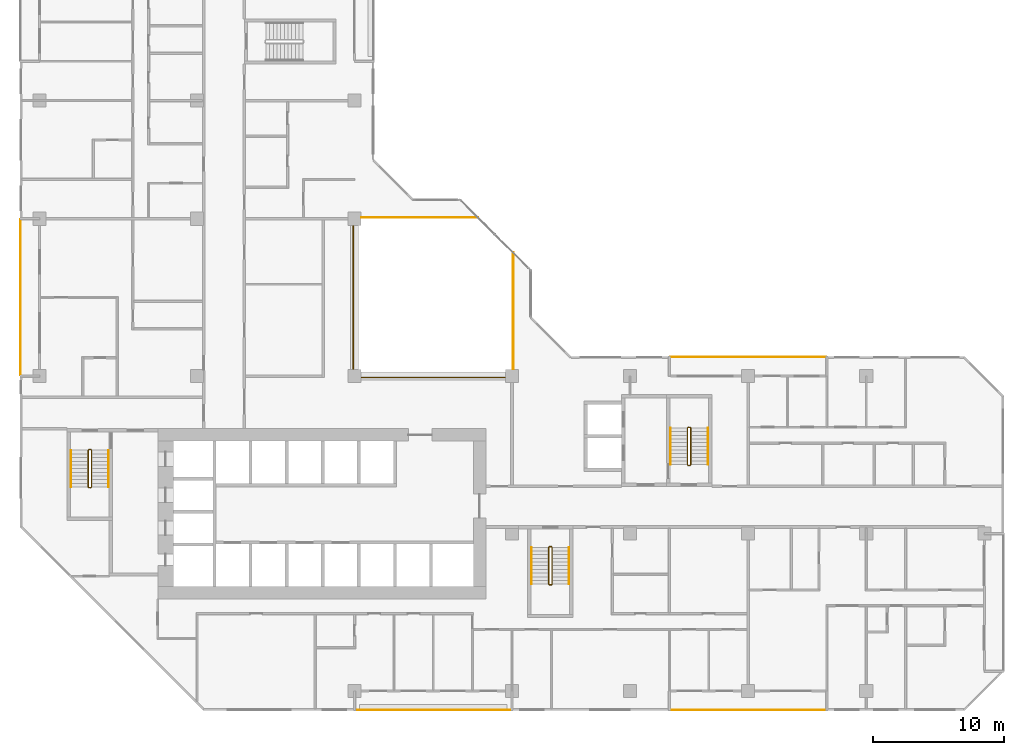
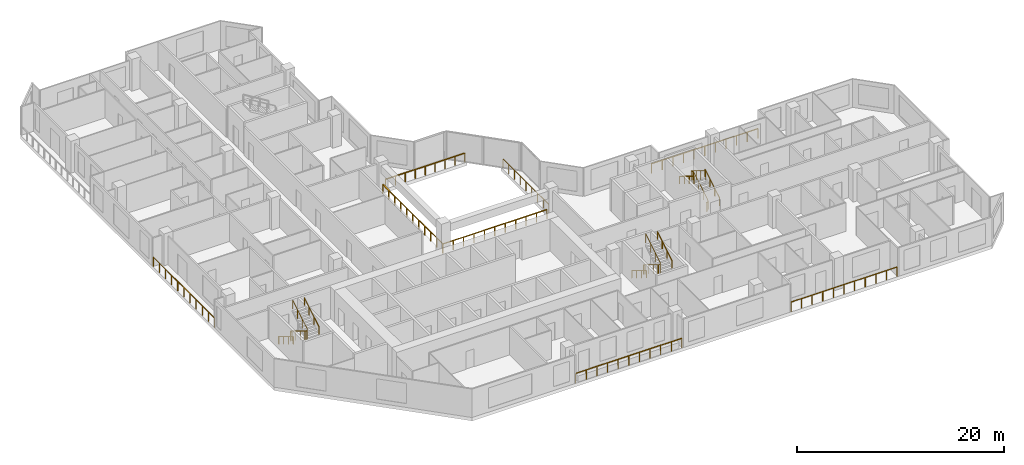
# One storey, part 14 of 15: 16 railings.
"""IFC4 building model written with IfcOpenShell, lengths in metres."""

from ifc_helpers import new_model, si_unit, direction, frame, origin, origin_2d, place, context, subcontext, project, spatial, rectangle, extrude, material, type_object, element, save


model = new_model("IFC4")

# Units and contexts
model_context = context("Model", 3, precision=1e-05, world=origin(), true_north=direction((0.0, 1.0)))
body_context = subcontext(model_context, "Body", "Model", "MODEL_VIEW")
ifc_project = project(units=[si_unit("LENGTHUNIT", "METRE"), si_unit("AREAUNIT", "SQUARE_METRE"), si_unit("VOLUMEUNIT", "CUBIC_METRE"), si_unit("PLANEANGLEUNIT", "RADIAN"), si_unit("MASSUNIT", "GRAM", prefix="KILO")], contexts=[model_context])

# Site, building, storey
site_placement = place(None, origin())
site = spatial("IfcSite", under=ifc_project, at=site_placement, CompositionType="ELEMENT")
building_placement = place(site_placement, origin())
building = spatial("IfcBuilding", under=site, at=building_placement, Name="Chenar Terraces", CompositionType="ELEMENT")
storey_placement = place(building_placement, frame((0.0, 0.0, 125.64990234375)))
storey = spatial("IfcBuildingStorey", under=building, at=storey_placement, Name="L29", CompositionType="ELEMENT", Elevation=125.64990234375)

# Railings
ifc_material_1 = material(Name="Powder-coated steel", Category="steel")
railing_type_1 = type_object("IfcRailingType", Name="Guard 1100 steel rail with glass infill", PredefinedType="GUARDRAIL", material=ifc_material_1)
railing_1_placement = place(storey_placement, frame((23.89990234375, 35.5, 0.0)))
element("IfcRailing", 1, at=railing_1_placement, inside=storey, type_object=railing_type_1, Name="Guard L29-1", PredefinedType="GUARDRAIL", context=body_context, shape_type="SweptSolid", body=[
    extrude(rectangle(XDim=0.06005859375, YDim=0.06005859375, at=origin_2d()), frame((0.0, 0.0, 1.070068359375), z_axis=(0.0, -1.0, 0.0), x_axis=(1.0, 0.0, 0.0)), (0.0, 0.0, 1.0), 11.60009765625),
    extrude(rectangle(XDim=0.06005859375, YDim=0.06005859375, at=origin_2d()), frame((0.0, -11.60009765625, 1.070068359375), z_axis=(1.0, 0.0, 0.0), x_axis=(0.0, 1.0, 0.0)), (0.0, 0.0, 1.0), 11.60009765625),
    extrude(rectangle(XDim=0.050048828125, YDim=0.050048828125, at=origin_2d()), origin(), (0.0, 0.0, 1.0), 1.0400390625),
    extrude(rectangle(XDim=0.050048828125, YDim=0.050048828125, at=origin_2d()), frame((0.0, -1.159912109375, 0.0)), (0.0, 0.0, 1.0), 1.0400390625),
    extrude(rectangle(XDim=0.050048828125, YDim=0.050048828125, at=origin_2d()), frame((0.0, -2.320068359375, 0.0)), (0.0, 0.0, 1.0), 1.0400390625),
    extrude(rectangle(XDim=0.050048828125, YDim=0.050048828125, at=origin_2d()), frame((0.0, -3.47998046875, 0.0)), (0.0, 0.0, 1.0), 1.0400390625),
    extrude(rectangle(XDim=0.050048828125, YDim=0.050048828125, at=origin_2d()), frame((0.0, -4.64013671875, 0.0)), (0.0, 0.0, 1.0), 1.0400390625),
    extrude(rectangle(XDim=0.050048828125, YDim=0.050048828125, at=origin_2d()), frame((0.0, -5.800048828125, 0.0)), (0.0, 0.0, 1.0), 1.0400390625),
    extrude(rectangle(XDim=0.050048828125, YDim=0.050048828125, at=origin_2d()), frame((0.0, -6.9599609375, 0.0)), (0.0, 0.0, 1.0), 1.0400390625),
    extrude(rectangle(XDim=0.050048828125, YDim=0.050048828125, at=origin_2d()), frame((0.0, -8.1201171875, 0.0)), (0.0, 0.0, 1.0), 1.0400390625),
    extrude(rectangle(XDim=0.050048828125, YDim=0.050048828125, at=origin_2d()), frame((0.0, -9.280029296875, 0.0)), (0.0, 0.0, 1.0), 1.0400390625),
    extrude(rectangle(XDim=0.050048828125, YDim=0.050048828125, at=origin_2d()), frame((0.0, -10.440185546875, 0.0)), (0.0, 0.0, 1.0), 1.0400390625),
    extrude(rectangle(XDim=0.050048828125, YDim=0.050048828125, at=origin_2d()), frame((0.0, -11.60009765625, 0.0)), (0.0, 0.0, 1.0), 1.0400390625),
    extrude(rectangle(XDim=0.050048828125, YDim=0.050048828125, at=origin_2d()), frame((1.159912109375, -11.60009765625, 0.0)), (0.0, 0.0, 1.0), 1.0400390625),
    extrude(rectangle(XDim=0.050048828125, YDim=0.050048828125, at=origin_2d()), frame((2.320068359375, -11.60009765625, 0.0)), (0.0, 0.0, 1.0), 1.0400390625),
    extrude(rectangle(XDim=0.050048828125, YDim=0.050048828125, at=origin_2d()), frame((3.47998046875, -11.60009765625, 0.0)), (0.0, 0.0, 1.0), 1.0400390625),
    extrude(rectangle(XDim=0.050048828125, YDim=0.050048828125, at=origin_2d()), frame((4.64013671875, -11.60009765625, 0.0)), (0.0, 0.0, 1.0), 1.0400390625),
    extrude(rectangle(XDim=0.050048828125, YDim=0.050048828125, at=origin_2d()), frame((5.800048828125, -11.60009765625, 0.0)), (0.0, 0.0, 1.0), 1.0400390625),
    extrude(rectangle(XDim=0.050048828125, YDim=0.050048828125, at=origin_2d()), frame((6.9599609375, -11.60009765625, 0.0)), (0.0, 0.0, 1.0), 1.0400390625),
    extrude(rectangle(XDim=0.050048828125, YDim=0.050048828125, at=origin_2d()), frame((8.1201171875, -11.60009765625, 0.0)), (0.0, 0.0, 1.0), 1.0400390625),
    extrude(rectangle(XDim=0.050048828125, YDim=0.050048828125, at=origin_2d()), frame((9.280029296875, -11.60009765625, 0.0)), (0.0, 0.0, 1.0), 1.0400390625),
    extrude(rectangle(XDim=0.050048828125, YDim=0.050048828125, at=origin_2d()), frame((10.440185546875, -11.60009765625, 0.0)), (0.0, 0.0, 1.0), 1.0400390625),
    extrude(rectangle(XDim=0.050048828125, YDim=0.050048828125, at=origin_2d()), frame((11.60009765625, -11.60009765625, 0.0)), (0.0, 0.0, 1.0), 1.0400390625),
])
railing_2_placement = place(storey_placement, frame((24.550048828125, 36.10009765625, 0.0)))
element("IfcRailing", 2, at=railing_2_placement, inside=storey, type_object=railing_type_1, Name="Guard L29-2", PredefinedType="GUARDRAIL", context=body_context, shape_type="SweptSolid", body=[
    extrude(rectangle(XDim=0.06005859375, YDim=0.06005859375, at=origin_2d()), frame((0.0, 0.0, 1.070068359375), z_axis=(1.0, 0.0, 0.0), x_axis=(0.0, 1.0, 0.0)), (0.0, 0.0, 1.0), 8.849853515625),
    extrude(rectangle(XDim=0.050048828125, YDim=0.050048828125, at=origin_2d()), origin(), (0.0, 0.0, 1.0), 1.0400390625),
    extrude(rectangle(XDim=0.050048828125, YDim=0.050048828125, at=origin_2d()), frame((1.106201171875, 0.0, 0.0)), (0.0, 0.0, 1.0), 1.0400390625),
    extrude(rectangle(XDim=0.050048828125, YDim=0.050048828125, at=origin_2d()), frame((2.21240234375, 0.0, 0.0)), (0.0, 0.0, 1.0), 1.0400390625),
    extrude(rectangle(XDim=0.050048828125, YDim=0.050048828125, at=origin_2d()), frame((3.318603515625, 0.0, 0.0)), (0.0, 0.0, 1.0), 1.0400390625),
    extrude(rectangle(XDim=0.050048828125, YDim=0.050048828125, at=origin_2d()), frame((4.4248046875, 0.0, 0.0)), (0.0, 0.0, 1.0), 1.0400390625),
    extrude(rectangle(XDim=0.050048828125, YDim=0.050048828125, at=origin_2d()), frame((5.53125, 0.0, 0.0)), (0.0, 0.0, 1.0), 1.0400390625),
    extrude(rectangle(XDim=0.050048828125, YDim=0.050048828125, at=origin_2d()), frame((6.637451171875, 0.0, 0.0)), (0.0, 0.0, 1.0), 1.0400390625),
    extrude(rectangle(XDim=0.050048828125, YDim=0.050048828125, at=origin_2d()), frame((7.74365234375, 0.0, 0.0)), (0.0, 0.0, 1.0), 1.0400390625),
    extrude(rectangle(XDim=0.050048828125, YDim=0.050048828125, at=origin_2d()), frame((8.849853515625, 0.0, 0.0)), (0.0, 0.0, 1.0), 1.0400390625),
])
railing_3_placement = place(storey_placement, frame((36.10009765625, 24.550048828125, 0.0)))
element("IfcRailing", 3, at=railing_3_placement, inside=storey, type_object=railing_type_1, Name="Guard L29-3", PredefinedType="GUARDRAIL", context=body_context, shape_type="SweptSolid", body=[
    extrude(rectangle(XDim=0.06005859375, YDim=0.06005859375, at=origin_2d()), frame((0.0, 0.0, 1.070068359375), z_axis=(0.0, 1.0, 0.0), x_axis=(-1.0, 0.0, 0.0)), (0.0, 0.0, 1.0), 8.849853515625),
    extrude(rectangle(XDim=0.050048828125, YDim=0.050048828125, at=origin_2d()), origin(), (0.0, 0.0, 1.0), 1.0400390625),
    extrude(rectangle(XDim=0.050048828125, YDim=0.050048828125, at=origin_2d()), frame((0.0, 1.106201171875, 0.0)), (0.0, 0.0, 1.0), 1.0400390625),
    extrude(rectangle(XDim=0.050048828125, YDim=0.050048828125, at=origin_2d()), frame((0.0, 2.21240234375, 0.0)), (0.0, 0.0, 1.0), 1.0400390625),
    extrude(rectangle(XDim=0.050048828125, YDim=0.050048828125, at=origin_2d()), frame((0.0, 3.318603515625, 0.0)), (0.0, 0.0, 1.0), 1.0400390625),
    extrude(rectangle(XDim=0.050048828125, YDim=0.050048828125, at=origin_2d()), frame((0.0, 4.4248046875, 0.0)), (0.0, 0.0, 1.0), 1.0400390625),
    extrude(rectangle(XDim=0.050048828125, YDim=0.050048828125, at=origin_2d()), frame((0.0, 5.53125, 0.0)), (0.0, 0.0, 1.0), 1.0400390625),
    extrude(rectangle(XDim=0.050048828125, YDim=0.050048828125, at=origin_2d()), frame((0.0, 6.637451171875, 0.0)), (0.0, 0.0, 1.0), 1.0400390625),
    extrude(rectangle(XDim=0.050048828125, YDim=0.050048828125, at=origin_2d()), frame((0.0, 7.74365234375, 0.0)), (0.0, 0.0, 1.0), 1.0400390625),
    extrude(rectangle(XDim=0.050048828125, YDim=0.050048828125, at=origin_2d()), frame((0.0, 8.849853515625, 0.0)), (0.0, 0.0, 1.0), 1.0400390625),
])
ifc_material_2 = material(Name="Stainless steel and glass", Category="steel")
railing_type_2 = type_object("IfcRailingType", Name="Loggia guard 1150", PredefinedType="GUARDRAIL", material=ifc_material_2)
railing_4_placement = place(storey_placement, frame((59.925048828125, 25.449951171875, 0.0)))
element("IfcRailing", 4, at=railing_4_placement, inside=storey, type_object=railing_type_2, Name="Loggia guard", PredefinedType="GUARDRAIL", context=body_context, shape_type="SweptSolid", body=[
    extrude(rectangle(XDim=0.048095703125, YDim=0.048095703125, at=origin_2d()), frame((0.0, 0.0, 1.1259765625), z_axis=(-1.0, 0.0, 0.0), x_axis=(0.0, -1.0, 0.0)), (0.0, 0.0, 1.0), 11.85009765625),
    extrude(rectangle(XDim=0.0419921875, YDim=0.0419921875, at=origin_2d()), origin(), (0.0, 0.0, 1.0), 1.101806640625),
    extrude(rectangle(XDim=0.0419921875, YDim=0.0419921875, at=origin_2d()), frame((-1.18505859375, 0.0, 0.0)), (0.0, 0.0, 1.0), 1.101806640625),
    extrude(rectangle(XDim=0.0419921875, YDim=0.0419921875, at=origin_2d()), frame((-2.3701171875, 0.0, 0.0)), (0.0, 0.0, 1.0), 1.101806640625),
    extrude(rectangle(XDim=0.0419921875, YDim=0.0419921875, at=origin_2d()), frame((-3.554931640625, 0.0, 0.0)), (0.0, 0.0, 1.0), 1.101806640625),
    extrude(rectangle(XDim=0.0419921875, YDim=0.0419921875, at=origin_2d()), frame((-4.739990234375, 0.0, 0.0)), (0.0, 0.0, 1.0), 1.101806640625),
    extrude(rectangle(XDim=0.0419921875, YDim=0.0419921875, at=origin_2d()), frame((-5.925048828125, 0.0, 0.0)), (0.0, 0.0, 1.0), 1.101806640625),
    extrude(rectangle(XDim=0.0419921875, YDim=0.0419921875, at=origin_2d()), frame((-7.110107421875, 0.0, 0.0)), (0.0, 0.0, 1.0), 1.101806640625),
    extrude(rectangle(XDim=0.0419921875, YDim=0.0419921875, at=origin_2d()), frame((-8.295166015625, 0.0, 0.0)), (0.0, 0.0, 1.0), 1.101806640625),
    extrude(rectangle(XDim=0.0419921875, YDim=0.0419921875, at=origin_2d()), frame((-9.47998046875, 0.0, 0.0)), (0.0, 0.0, 1.0), 1.101806640625),
    extrude(rectangle(XDim=0.0419921875, YDim=0.0419921875, at=origin_2d()), frame((-10.6650390625, 0.0, 0.0)), (0.0, 0.0, 1.0), 1.101806640625),
    extrude(rectangle(XDim=0.0419921875, YDim=0.0419921875, at=origin_2d()), frame((-11.85009765625, 0.0, 0.0)), (0.0, 0.0, 1.0), 1.101806640625),
])
railing_5_placement = place(storey_placement, frame((24.074951171875, -1.449951171875, 0.0)))
element("IfcRailing", 5, at=railing_5_placement, inside=storey, type_object=railing_type_2, Name="Loggia guard", PredefinedType="GUARDRAIL", context=body_context, shape_type="SweptSolid", body=[
    extrude(rectangle(XDim=0.048095703125, YDim=0.048095703125, at=origin_2d()), frame((0.0, 0.0, 1.1259765625), z_axis=(1.0, 0.0, 0.0), x_axis=(0.0, 1.0, 0.0)), (0.0, 0.0, 1.0), 11.85009765625),
    extrude(rectangle(XDim=0.0419921875, YDim=0.0419921875, at=origin_2d()), origin(), (0.0, 0.0, 1.0), 1.101806640625),
    extrude(rectangle(XDim=0.0419921875, YDim=0.0419921875, at=origin_2d()), frame((1.18505859375, 0.0, 0.0)), (0.0, 0.0, 1.0), 1.101806640625),
    extrude(rectangle(XDim=0.0419921875, YDim=0.0419921875, at=origin_2d()), frame((2.3701171875, 0.0, 0.0)), (0.0, 0.0, 1.0), 1.101806640625),
    extrude(rectangle(XDim=0.0419921875, YDim=0.0419921875, at=origin_2d()), frame((3.554931640625, 0.0, 0.0)), (0.0, 0.0, 1.0), 1.101806640625),
    extrude(rectangle(XDim=0.0419921875, YDim=0.0419921875, at=origin_2d()), frame((4.739990234375, 0.0, 0.0)), (0.0, 0.0, 1.0), 1.101806640625),
    extrude(rectangle(XDim=0.0419921875, YDim=0.0419921875, at=origin_2d()), frame((5.925048828125, 0.0, 0.0)), (0.0, 0.0, 1.0), 1.101806640625),
    extrude(rectangle(XDim=0.0419921875, YDim=0.0419921875, at=origin_2d()), frame((7.110107421875, 0.0, 0.0)), (0.0, 0.0, 1.0), 1.101806640625),
    extrude(rectangle(XDim=0.0419921875, YDim=0.0419921875, at=origin_2d()), frame((8.295166015625, 0.0, 0.0)), (0.0, 0.0, 1.0), 1.101806640625),
    extrude(rectangle(XDim=0.0419921875, YDim=0.0419921875, at=origin_2d()), frame((9.47998046875, 0.0, 0.0)), (0.0, 0.0, 1.0), 1.101806640625),
    extrude(rectangle(XDim=0.0419921875, YDim=0.0419921875, at=origin_2d()), frame((10.6650390625, 0.0, 0.0)), (0.0, 0.0, 1.0), 1.101806640625),
    extrude(rectangle(XDim=0.0419921875, YDim=0.0419921875, at=origin_2d()), frame((11.85009765625, 0.0, 0.0)), (0.0, 0.0, 1.0), 1.101806640625),
])
railing_6_placement = place(storey_placement, frame((48.074951171875, -1.449951171875, 0.0)))
element("IfcRailing", 6, at=railing_6_placement, inside=storey, type_object=railing_type_2, Name="Loggia guard", PredefinedType="GUARDRAIL", context=body_context, shape_type="SweptSolid", body=[
    extrude(rectangle(XDim=0.048095703125, YDim=0.048095703125, at=origin_2d()), frame((0.0, 0.0, 1.1259765625), z_axis=(1.0, 0.0, 0.0), x_axis=(0.0, 1.0, 0.0)), (0.0, 0.0, 1.0), 11.85009765625),
    extrude(rectangle(XDim=0.0419921875, YDim=0.0419921875, at=origin_2d()), origin(), (0.0, 0.0, 1.0), 1.101806640625),
    extrude(rectangle(XDim=0.0419921875, YDim=0.0419921875, at=origin_2d()), frame((1.18505859375, 0.0, 0.0)), (0.0, 0.0, 1.0), 1.101806640625),
    extrude(rectangle(XDim=0.0419921875, YDim=0.0419921875, at=origin_2d()), frame((2.3701171875, 0.0, 0.0)), (0.0, 0.0, 1.0), 1.101806640625),
    extrude(rectangle(XDim=0.0419921875, YDim=0.0419921875, at=origin_2d()), frame((3.554931640625, 0.0, 0.0)), (0.0, 0.0, 1.0), 1.101806640625),
    extrude(rectangle(XDim=0.0419921875, YDim=0.0419921875, at=origin_2d()), frame((4.739990234375, 0.0, 0.0)), (0.0, 0.0, 1.0), 1.101806640625),
    extrude(rectangle(XDim=0.0419921875, YDim=0.0419921875, at=origin_2d()), frame((5.925048828125, 0.0, 0.0)), (0.0, 0.0, 1.0), 1.101806640625),
    extrude(rectangle(XDim=0.0419921875, YDim=0.0419921875, at=origin_2d()), frame((7.110107421875, 0.0, 0.0)), (0.0, 0.0, 1.0), 1.101806640625),
    extrude(rectangle(XDim=0.0419921875, YDim=0.0419921875, at=origin_2d()), frame((8.295166015625, 0.0, 0.0)), (0.0, 0.0, 1.0), 1.101806640625),
    extrude(rectangle(XDim=0.0419921875, YDim=0.0419921875, at=origin_2d()), frame((9.47998046875, 0.0, 0.0)), (0.0, 0.0, 1.0), 1.101806640625),
    extrude(rectangle(XDim=0.0419921875, YDim=0.0419921875, at=origin_2d()), frame((10.6650390625, 0.0, 0.0)), (0.0, 0.0, 1.0), 1.101806640625),
    extrude(rectangle(XDim=0.0419921875, YDim=0.0419921875, at=origin_2d()), frame((11.85009765625, 0.0, 0.0)), (0.0, 0.0, 1.0), 1.101806640625),
])
railing_7_placement = place(storey_placement, frame((-1.449951171875, 35.925048828125, 0.0)))
element("IfcRailing", 7, at=railing_7_placement, inside=storey, type_object=railing_type_2, Name="Loggia guard", PredefinedType="GUARDRAIL", context=body_context, shape_type="SweptSolid", body=[
    extrude(rectangle(XDim=0.048095703125, YDim=0.048095703125, at=origin_2d()), frame((0.0, 0.0, 1.1259765625), z_axis=(0.0, -1.0, 0.0), x_axis=(1.0, 0.0, 0.0)), (0.0, 0.0, 1.0), 11.85009765625),
    extrude(rectangle(XDim=0.0419921875, YDim=0.0419921875, at=origin_2d()), origin(), (0.0, 0.0, 1.0), 1.101806640625),
    extrude(rectangle(XDim=0.0419921875, YDim=0.0419921875, at=origin_2d()), frame((0.0, -1.18505859375, 0.0)), (0.0, 0.0, 1.0), 1.101806640625),
    extrude(rectangle(XDim=0.0419921875, YDim=0.0419921875, at=origin_2d()), frame((0.0, -2.3701171875, 0.0)), (0.0, 0.0, 1.0), 1.101806640625),
    extrude(rectangle(XDim=0.0419921875, YDim=0.0419921875, at=origin_2d()), frame((0.0, -3.554931640625, 0.0)), (0.0, 0.0, 1.0), 1.101806640625),
    extrude(rectangle(XDim=0.0419921875, YDim=0.0419921875, at=origin_2d()), frame((0.0, -4.739990234375, 0.0)), (0.0, 0.0, 1.0), 1.101806640625),
    extrude(rectangle(XDim=0.0419921875, YDim=0.0419921875, at=origin_2d()), frame((0.0, -5.925048828125, 0.0)), (0.0, 0.0, 1.0), 1.101806640625),
    extrude(rectangle(XDim=0.0419921875, YDim=0.0419921875, at=origin_2d()), frame((0.0, -7.110107421875, 0.0)), (0.0, 0.0, 1.0), 1.101806640625),
    extrude(rectangle(XDim=0.0419921875, YDim=0.0419921875, at=origin_2d()), frame((0.0, -8.295166015625, 0.0)), (0.0, 0.0, 1.0), 1.101806640625),
    extrude(rectangle(XDim=0.0419921875, YDim=0.0419921875, at=origin_2d()), frame((0.0, -9.47998046875, 0.0)), (0.0, 0.0, 1.0), 1.101806640625),
    extrude(rectangle(XDim=0.0419921875, YDim=0.0419921875, at=origin_2d()), frame((0.0, -10.6650390625, 0.0)), (0.0, 0.0, 1.0), 1.101806640625),
    extrude(rectangle(XDim=0.0419921875, YDim=0.0419921875, at=origin_2d()), frame((0.0, -11.85009765625, 0.0)), (0.0, 0.0, 1.0), 1.101806640625),
])
ifc_material_3 = material(Name="Powder-coated steel", Category="steel")
railing_type_3 = type_object("IfcRailingType", Name="Stair guard 1100", PredefinedType="GUARDRAIL", material=ifc_material_3)
railing_8_placement = place(storey_placement, frame((3.949951171875, 18.35009765625, 3.75)))
element("IfcRailing", 8, at=railing_8_placement, inside=storey, type_object=railing_type_3, Name="L29 ST1 stair guard 1", PredefinedType="GUARDRAIL", context=body_context, shape_type="SweptSolid", body=[
    extrude(rectangle(XDim=0.048095703125, YDim=0.048095703125, at=origin_2d()), frame((0.0, 0.0, 1.076171875), z_axis=(0.0, -0.854202870247, -0.519939858505), x_axis=(1.0, 0.0, 0.0)), (0.0, 0.0, 1.0), 3.278076171875),
    extrude(rectangle(XDim=0.048095703125, YDim=0.048095703125, at=origin_2d()), frame((0.0, -2.800048828125, -0.62841796875), z_axis=(-0.270899902878, -0.270899902878, -0.923702595667), x_axis=(0.707106781187, -0.707106781187, 0.0)), (0.0, 0.0, 1.0), 0.184814453125),
    extrude(rectangle(XDim=0.048095703125, YDim=0.048095703125, at=origin_2d()), frame((-0.050048828125, -2.85009765625, -0.798828125), z_axis=(-1.0, 0.0, 0.0), x_axis=(0.0, -1.0, 0.0)), (0.0, 0.0, 1.0), 0.14990234375),
    extrude(rectangle(XDim=0.048095703125, YDim=0.048095703125, at=origin_2d()), frame((-0.199951171875, -2.85009765625, -0.798828125), z_axis=(-0.707106781187, 0.707106781187, 0.0), x_axis=(-0.707106781187, -0.707106781187, 0.0)), (0.0, 0.0, 1.0), 0.07080078125),
    extrude(rectangle(XDim=0.048095703125, YDim=0.048095703125, at=origin_2d()), frame((-0.25, -2.800048828125, -0.798828125), z_axis=(0.0, 0.854202870247, -0.519939858505), x_axis=(-1.0, 0.0, 0.0)), (0.0, 0.0, 1.0), 3.278076171875),
    extrude(rectangle(XDim=0.048095703125, YDim=0.048095703125, at=origin_2d()), frame((-0.25, 0.0, -2.50341796875), z_axis=(0.270996696079, 0.269674760976, -0.924032636873), x_axis=(-0.705375805398, 0.708833529934, 0.0)), (0.0, 0.0, 1.0), 0.1845703125),
    extrude(rectangle(XDim=0.048095703125, YDim=0.048095703125, at=origin_2d()), frame((-0.199951171875, 0.0498046875, -2.673828125), z_axis=(1.0, 0.0, 0.0), x_axis=(0.0, 1.0, 0.0)), (0.0, 0.0, 1.0), 0.14990234375),
    extrude(rectangle(XDim=0.0419921875, YDim=0.0419921875, at=origin_2d()), origin(), (0.0, 0.0, 1.0), 1.052001953125),
    extrude(rectangle(XDim=0.0419921875, YDim=0.0419921875, at=origin_2d()), frame((0.0, -0.933349609375, -0.568115234375)), (0.0, 0.0, 1.0), 1.052001953125),
    extrude(rectangle(XDim=0.0419921875, YDim=0.0419921875, at=origin_2d()), frame((0.0, -1.86669921875, -1.13623046875)), (0.0, 0.0, 1.0), 1.052001953125),
    extrude(rectangle(XDim=0.0419921875, YDim=0.0419921875, at=origin_2d()), frame((0.0, -2.800048828125, -1.704345703125)), (0.0, 0.0, 1.0), 1.052001953125),
    extrude(rectangle(XDim=0.0419921875, YDim=0.0419921875, at=origin_2d()), frame((-0.050048828125, -2.85009765625, -1.875)), (0.0, 0.0, 1.0), 1.052001953125),
    extrude(rectangle(XDim=0.0419921875, YDim=0.0419921875, at=origin_2d()), frame((-0.199951171875, -2.85009765625, -1.875)), (0.0, 0.0, 1.0), 1.052001953125),
    extrude(rectangle(XDim=0.0419921875, YDim=0.0419921875, at=origin_2d()), frame((-0.25, -2.800048828125, -1.875)), (0.0, 0.0, 1.0), 1.052001953125),
    extrude(rectangle(XDim=0.0419921875, YDim=0.0419921875, at=origin_2d()), frame((-0.25, -1.86669921875, -2.443115234375)), (0.0, 0.0, 1.0), 1.052001953125),
    extrude(rectangle(XDim=0.0419921875, YDim=0.0419921875, at=origin_2d()), frame((-0.25, -0.933349609375, -3.01123046875)), (0.0, 0.0, 1.0), 1.052001953125),
    extrude(rectangle(XDim=0.0419921875, YDim=0.0419921875, at=origin_2d()), frame((-0.25, 0.0, -3.579345703125)), (0.0, 0.0, 1.0), 1.052001953125),
    extrude(rectangle(XDim=0.0419921875, YDim=0.0419921875, at=origin_2d()), frame((-0.199951171875, 0.0498046875, -3.75)), (0.0, 0.0, 1.0), 1.052001953125),
    extrude(rectangle(XDim=0.0419921875, YDim=0.0419921875, at=origin_2d()), frame((-0.050048828125, 0.0498046875, -3.75)), (0.0, 0.0, 1.0), 1.052001953125),
])
railing_9_placement = place(storey_placement, frame((39.050048828125, 10.949951171875, 3.75)))
element("IfcRailing", 9, at=railing_9_placement, inside=storey, type_object=railing_type_3, Name="L29 ST2 stair guard 1", PredefinedType="GUARDRAIL", context=body_context, shape_type="SweptSolid", body=[
    extrude(rectangle(XDim=0.048095703125, YDim=0.048095703125, at=origin_2d()), frame((0.0, 0.0, 1.076171875), z_axis=(0.0, -0.854202870247, -0.519939858505), x_axis=(1.0, 0.0, 0.0)), (0.0, 0.0, 1.0), 3.278076171875),
    extrude(rectangle(XDim=0.048095703125, YDim=0.048095703125, at=origin_2d()), frame((0.0, -2.800048828125, -0.62841796875), z_axis=(-0.270996696079, -0.269674760976, -0.924032636873), x_axis=(0.705375805398, -0.708833529934, 0.0)), (0.0, 0.0, 1.0), 0.1845703125),
    extrude(rectangle(XDim=0.048095703125, YDim=0.048095703125, at=origin_2d()), frame((-0.050048828125, -2.849853515625, -0.798828125), z_axis=(-1.0, 0.0, 0.0), x_axis=(0.0, -1.0, 0.0)), (0.0, 0.0, 1.0), 0.14990234375),
    extrude(rectangle(XDim=0.048095703125, YDim=0.048095703125, at=origin_2d()), frame((-0.199951171875, -2.849853515625, -0.798828125), z_axis=(-0.708833529934, 0.705375805398, 0.0), x_axis=(-0.705375805398, -0.708833529934, 0.0)), (0.0, 0.0, 1.0), 0.070556640625),
    extrude(rectangle(XDim=0.048095703125, YDim=0.048095703125, at=origin_2d()), frame((-0.25, -2.800048828125, -0.798828125), z_axis=(0.0, 0.854202870247, -0.519939858505), x_axis=(-1.0, 0.0, 0.0)), (0.0, 0.0, 1.0), 3.278076171875),
    extrude(rectangle(XDim=0.048095703125, YDim=0.048095703125, at=origin_2d()), frame((-0.25, 0.0, -2.50341796875), z_axis=(0.270899902878, 0.270899902878, -0.923702595667), x_axis=(-0.707106781187, 0.707106781187, 0.0)), (0.0, 0.0, 1.0), 0.184814453125),
    extrude(rectangle(XDim=0.048095703125, YDim=0.048095703125, at=origin_2d()), frame((-0.199951171875, 0.050048828125, -2.673828125), z_axis=(1.0, 0.0, 0.0), x_axis=(0.0, 1.0, 0.0)), (0.0, 0.0, 1.0), 0.14990234375),
    extrude(rectangle(XDim=0.0419921875, YDim=0.0419921875, at=origin_2d()), origin(), (0.0, 0.0, 1.0), 1.052001953125),
    extrude(rectangle(XDim=0.0419921875, YDim=0.0419921875, at=origin_2d()), frame((0.0, -0.933349609375, -0.568115234375)), (0.0, 0.0, 1.0), 1.052001953125),
    extrude(rectangle(XDim=0.0419921875, YDim=0.0419921875, at=origin_2d()), frame((0.0, -1.86669921875, -1.13623046875)), (0.0, 0.0, 1.0), 1.052001953125),
    extrude(rectangle(XDim=0.0419921875, YDim=0.0419921875, at=origin_2d()), frame((0.0, -2.800048828125, -1.704345703125)), (0.0, 0.0, 1.0), 1.052001953125),
    extrude(rectangle(XDim=0.0419921875, YDim=0.0419921875, at=origin_2d()), frame((-0.050048828125, -2.849853515625, -1.875)), (0.0, 0.0, 1.0), 1.052001953125),
    extrude(rectangle(XDim=0.0419921875, YDim=0.0419921875, at=origin_2d()), frame((-0.199951171875, -2.849853515625, -1.875)), (0.0, 0.0, 1.0), 1.052001953125),
    extrude(rectangle(XDim=0.0419921875, YDim=0.0419921875, at=origin_2d()), frame((-0.25, -2.800048828125, -1.875)), (0.0, 0.0, 1.0), 1.052001953125),
    extrude(rectangle(XDim=0.0419921875, YDim=0.0419921875, at=origin_2d()), frame((-0.25, -1.86669921875, -2.443115234375)), (0.0, 0.0, 1.0), 1.052001953125),
    extrude(rectangle(XDim=0.0419921875, YDim=0.0419921875, at=origin_2d()), frame((-0.25, -0.933349609375, -3.01123046875)), (0.0, 0.0, 1.0), 1.052001953125),
    extrude(rectangle(XDim=0.0419921875, YDim=0.0419921875, at=origin_2d()), frame((-0.25, 0.0, -3.579345703125)), (0.0, 0.0, 1.0), 1.052001953125),
    extrude(rectangle(XDim=0.0419921875, YDim=0.0419921875, at=origin_2d()), frame((-0.199951171875, 0.050048828125, -3.75)), (0.0, 0.0, 1.0), 1.052001953125),
    extrude(rectangle(XDim=0.0419921875, YDim=0.0419921875, at=origin_2d()), frame((-0.050048828125, 0.050048828125, -3.75)), (0.0, 0.0, 1.0), 1.052001953125),
])
railing_10_placement = place(storey_placement, frame((49.375, 17.25, 3.75)))
element("IfcRailing", 10, at=railing_10_placement, inside=storey, type_object=railing_type_3, Name="L29 ST3 stair guard 1", PredefinedType="GUARDRAIL", context=body_context, shape_type="SweptSolid", body=[
    extrude(rectangle(XDim=0.048095703125, YDim=0.048095703125, at=origin_2d()), frame((0.0, 0.0, 1.076171875), z_axis=(0.0, 0.854202870247, -0.519939858505), x_axis=(-1.0, 0.0, 0.0)), (0.0, 0.0, 1.0), 3.278076171875),
    extrude(rectangle(XDim=0.048095703125, YDim=0.048095703125, at=origin_2d()), frame((0.0, 2.800048828125, -0.62841796875), z_axis=(0.270899902878, 0.270899902878, -0.923702595667), x_axis=(-0.707106781187, 0.707106781187, 0.0)), (0.0, 0.0, 1.0), 0.184814453125),
    extrude(rectangle(XDim=0.048095703125, YDim=0.048095703125, at=origin_2d()), frame((0.050048828125, 2.85009765625, -0.798828125), z_axis=(1.0, 0.0, 0.0), x_axis=(0.0, 1.0, 0.0)), (0.0, 0.0, 1.0), 0.14990234375),
    extrude(rectangle(XDim=0.048095703125, YDim=0.048095703125, at=origin_2d()), frame((0.199951171875, 2.85009765625, -0.798828125), z_axis=(0.707106781187, -0.707106781187, 0.0), x_axis=(0.707106781187, 0.707106781187, 0.0)), (0.0, 0.0, 1.0), 0.07080078125),
    extrude(rectangle(XDim=0.048095703125, YDim=0.048095703125, at=origin_2d()), frame((0.25, 2.800048828125, -0.798828125), z_axis=(0.0, -0.854202870247, -0.519939858505), x_axis=(1.0, 0.0, 0.0)), (0.0, 0.0, 1.0), 3.278076171875),
    extrude(rectangle(XDim=0.048095703125, YDim=0.048095703125, at=origin_2d()), frame((0.25, 0.0, -2.50341796875), z_axis=(-0.270899902878, -0.270899902878, -0.923702595667), x_axis=(0.707106781187, -0.707106781187, 0.0)), (0.0, 0.0, 1.0), 0.184814453125),
    extrude(rectangle(XDim=0.048095703125, YDim=0.048095703125, at=origin_2d()), frame((0.199951171875, -0.050048828125, -2.673828125), z_axis=(-1.0, 0.0, 0.0), x_axis=(0.0, -1.0, 0.0)), (0.0, 0.0, 1.0), 0.14990234375),
    extrude(rectangle(XDim=0.0419921875, YDim=0.0419921875, at=origin_2d()), origin(), (0.0, 0.0, 1.0), 1.052001953125),
    extrude(rectangle(XDim=0.0419921875, YDim=0.0419921875, at=origin_2d()), frame((0.0, 0.933349609375, -0.568115234375)), (0.0, 0.0, 1.0), 1.052001953125),
    extrude(rectangle(XDim=0.0419921875, YDim=0.0419921875, at=origin_2d()), frame((0.0, 1.86669921875, -1.13623046875)), (0.0, 0.0, 1.0), 1.052001953125),
    extrude(rectangle(XDim=0.0419921875, YDim=0.0419921875, at=origin_2d()), frame((0.0, 2.800048828125, -1.704345703125)), (0.0, 0.0, 1.0), 1.052001953125),
    extrude(rectangle(XDim=0.0419921875, YDim=0.0419921875, at=origin_2d()), frame((0.050048828125, 2.85009765625, -1.875)), (0.0, 0.0, 1.0), 1.052001953125),
    extrude(rectangle(XDim=0.0419921875, YDim=0.0419921875, at=origin_2d()), frame((0.199951171875, 2.85009765625, -1.875)), (0.0, 0.0, 1.0), 1.052001953125),
    extrude(rectangle(XDim=0.0419921875, YDim=0.0419921875, at=origin_2d()), frame((0.25, 2.800048828125, -1.875)), (0.0, 0.0, 1.0), 1.052001953125),
    extrude(rectangle(XDim=0.0419921875, YDim=0.0419921875, at=origin_2d()), frame((0.25, 1.86669921875, -2.443115234375)), (0.0, 0.0, 1.0), 1.052001953125),
    extrude(rectangle(XDim=0.0419921875, YDim=0.0419921875, at=origin_2d()), frame((0.25, 0.933349609375, -3.01123046875)), (0.0, 0.0, 1.0), 1.052001953125),
    extrude(rectangle(XDim=0.0419921875, YDim=0.0419921875, at=origin_2d()), frame((0.25, 0.0, -3.579345703125)), (0.0, 0.0, 1.0), 1.052001953125),
    extrude(rectangle(XDim=0.0419921875, YDim=0.0419921875, at=origin_2d()), frame((0.199951171875, -0.050048828125, -3.75)), (0.0, 0.0, 1.0), 1.052001953125),
    extrude(rectangle(XDim=0.0419921875, YDim=0.0419921875, at=origin_2d()), frame((0.050048828125, -0.050048828125, -3.75)), (0.0, 0.0, 1.0), 1.052001953125),
])
ifc_material_4 = material(Name="Powder-coated steel", Category="steel")
railing_type_4 = type_object("IfcRailingType", Name="Stair handrail 900", PredefinedType="HANDRAIL", material=ifc_material_4)
railing_11_placement = place(storey_placement, frame((2.39990234375, 18.35009765625, 0.170654296875)))
element("IfcRailing", 11, at=railing_11_placement, inside=storey, type_object=railing_type_4, Name="L29 ST1 stair handrail 1", PredefinedType="HANDRAIL", context=body_context, shape_type="SweptSolid", body=[
    extrude(rectangle(XDim=0.048095703125, YDim=0.048095703125, at=origin_2d()), frame((0.0, 0.0, 0.8759765625), z_axis=(0.0, -0.854202870247, 0.519939858505), x_axis=(1.0, 0.0, 0.0)), (0.0, 0.0, 1.0), 3.278076171875),
    extrude(rectangle(XDim=0.0419921875, YDim=0.0419921875, at=origin_2d()), origin(), (0.0, 0.0, 1.0), 0.851806640625),
    extrude(rectangle(XDim=0.0419921875, YDim=0.0419921875, at=origin_2d()), frame((0.0, -0.933349609375, 0.568115234375)), (0.0, 0.0, 1.0), 0.851806640625),
    extrude(rectangle(XDim=0.0419921875, YDim=0.0419921875, at=origin_2d()), frame((0.0, -1.86669921875, 1.13623046875)), (0.0, 0.0, 1.0), 0.851806640625),
    extrude(rectangle(XDim=0.0419921875, YDim=0.0419921875, at=origin_2d()), frame((0.0, -2.800048828125, 1.704345703125)), (0.0, 0.0, 1.0), 0.851806640625),
])
railing_12_placement = place(storey_placement, frame((5.25, 15.550048828125, 2.045654296875)))
element("IfcRailing", 12, at=railing_12_placement, inside=storey, type_object=railing_type_4, Name="L29 ST1 stair handrail 2", PredefinedType="HANDRAIL", context=body_context, shape_type="SweptSolid", body=[
    extrude(rectangle(XDim=0.048095703125, YDim=0.048095703125, at=origin_2d()), frame((0.0, 0.0, 0.8759765625), z_axis=(0.0, 0.854202870247, 0.519939858505), x_axis=(-1.0, 0.0, 0.0)), (0.0, 0.0, 1.0), 3.278076171875),
    extrude(rectangle(XDim=0.0419921875, YDim=0.0419921875, at=origin_2d()), origin(), (0.0, 0.0, 1.0), 0.851806640625),
    extrude(rectangle(XDim=0.0419921875, YDim=0.0419921875, at=origin_2d()), frame((0.0, 0.933349609375, 0.568115234375)), (0.0, 0.0, 1.0), 0.851806640625),
    extrude(rectangle(XDim=0.0419921875, YDim=0.0419921875, at=origin_2d()), frame((0.0, 1.86669921875, 1.13623046875)), (0.0, 0.0, 1.0), 0.851806640625),
    extrude(rectangle(XDim=0.0419921875, YDim=0.0419921875, at=origin_2d()), frame((0.0, 2.800048828125, 1.704345703125)), (0.0, 0.0, 1.0), 0.851806640625),
])
railing_13_placement = place(storey_placement, frame((37.5, 10.949951171875, 0.170654296875)))
element("IfcRailing", 13, at=railing_13_placement, inside=storey, type_object=railing_type_4, Name="L29 ST2 stair handrail 1", PredefinedType="HANDRAIL", context=body_context, shape_type="SweptSolid", body=[
    extrude(rectangle(XDim=0.048095703125, YDim=0.048095703125, at=origin_2d()), frame((0.0, 0.0, 0.8759765625), z_axis=(0.0, -0.854202870247, 0.519939858505), x_axis=(1.0, 0.0, 0.0)), (0.0, 0.0, 1.0), 3.278076171875),
    extrude(rectangle(XDim=0.0419921875, YDim=0.0419921875, at=origin_2d()), origin(), (0.0, 0.0, 1.0), 0.851806640625),
    extrude(rectangle(XDim=0.0419921875, YDim=0.0419921875, at=origin_2d()), frame((0.0, -0.933349609375, 0.568115234375)), (0.0, 0.0, 1.0), 0.851806640625),
    extrude(rectangle(XDim=0.0419921875, YDim=0.0419921875, at=origin_2d()), frame((0.0, -1.86669921875, 1.13623046875)), (0.0, 0.0, 1.0), 0.851806640625),
    extrude(rectangle(XDim=0.0419921875, YDim=0.0419921875, at=origin_2d()), frame((0.0, -2.800048828125, 1.704345703125)), (0.0, 0.0, 1.0), 0.851806640625),
])
for number, where, name in (
    (14, (40.35009765625, 8.14990234375, 2.045654296875), "L29 ST2 stair handrail 2"),
    (15, (50.925048828125, 17.25, 0.170654296875), "L29 ST3 stair handrail 1"),
):
    element("IfcRailing", number, at=place(storey_placement, frame(where)), inside=storey, type_object=railing_type_4, Name=name, PredefinedType="HANDRAIL", context=body_context, shape_type="SweptSolid", body=[
        extrude(rectangle(XDim=0.048095703125, YDim=0.048095703125, at=origin_2d()), frame((0.0, 0.0, 0.8759765625), z_axis=(0.0, 0.854202870247, 0.519939858505), x_axis=(-1.0, 0.0, 0.0)), (0.0, 0.0, 1.0), 3.278076171875),
        extrude(rectangle(XDim=0.0419921875, YDim=0.0419921875, at=origin_2d()), origin(), (0.0, 0.0, 1.0), 0.851806640625),
        extrude(rectangle(XDim=0.0419921875, YDim=0.0419921875, at=origin_2d()), frame((0.0, 0.933349609375, 0.568115234375)), (0.0, 0.0, 1.0), 0.851806640625),
        extrude(rectangle(XDim=0.0419921875, YDim=0.0419921875, at=origin_2d()), frame((0.0, 1.86669921875, 1.13623046875)), (0.0, 0.0, 1.0), 0.851806640625),
        extrude(rectangle(XDim=0.0419921875, YDim=0.0419921875, at=origin_2d()), frame((0.0, 2.800048828125, 1.704345703125)), (0.0, 0.0, 1.0), 0.851806640625),
    ])
railing_14_placement = place(storey_placement, frame((48.074951171875, 20.050048828125, 2.045654296875)))
element("IfcRailing", 16, at=railing_14_placement, inside=storey, type_object=railing_type_4, Name="L29 ST3 stair handrail 2", PredefinedType="HANDRAIL", context=body_context, shape_type="SweptSolid", body=[
    extrude(rectangle(XDim=0.048095703125, YDim=0.048095703125, at=origin_2d()), frame((0.0, 0.0, 0.8759765625), z_axis=(0.0, -0.854202870247, 0.519939858505), x_axis=(1.0, 0.0, 0.0)), (0.0, 0.0, 1.0), 3.278076171875),
    extrude(rectangle(XDim=0.0419921875, YDim=0.0419921875, at=origin_2d()), origin(), (0.0, 0.0, 1.0), 0.851806640625),
    extrude(rectangle(XDim=0.0419921875, YDim=0.0419921875, at=origin_2d()), frame((0.0, -0.933349609375, 0.568115234375)), (0.0, 0.0, 1.0), 0.851806640625),
    extrude(rectangle(XDim=0.0419921875, YDim=0.0419921875, at=origin_2d()), frame((0.0, -1.86669921875, 1.13623046875)), (0.0, 0.0, 1.0), 0.851806640625),
    extrude(rectangle(XDim=0.0419921875, YDim=0.0419921875, at=origin_2d()), frame((0.0, -2.800048828125, 1.704345703125)), (0.0, 0.0, 1.0), 0.851806640625),
])

save(model, "model.ifc")
